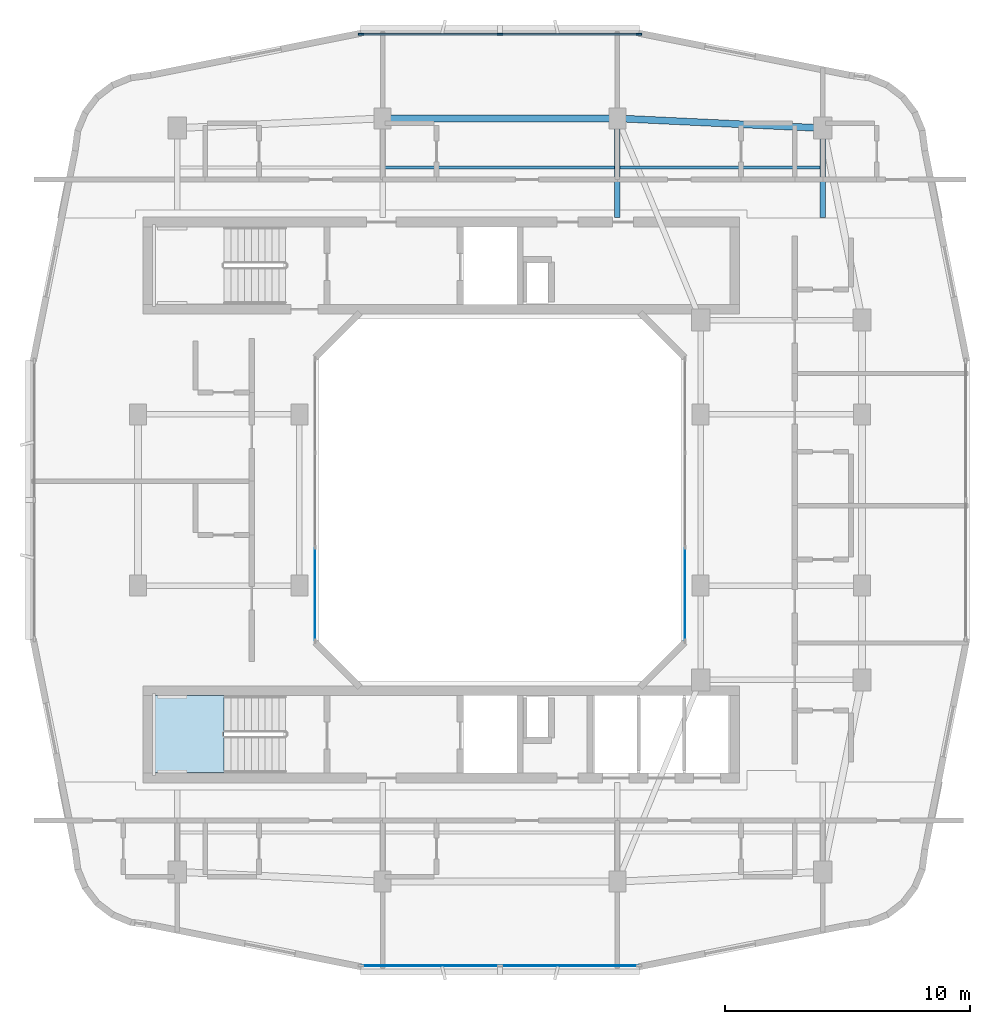
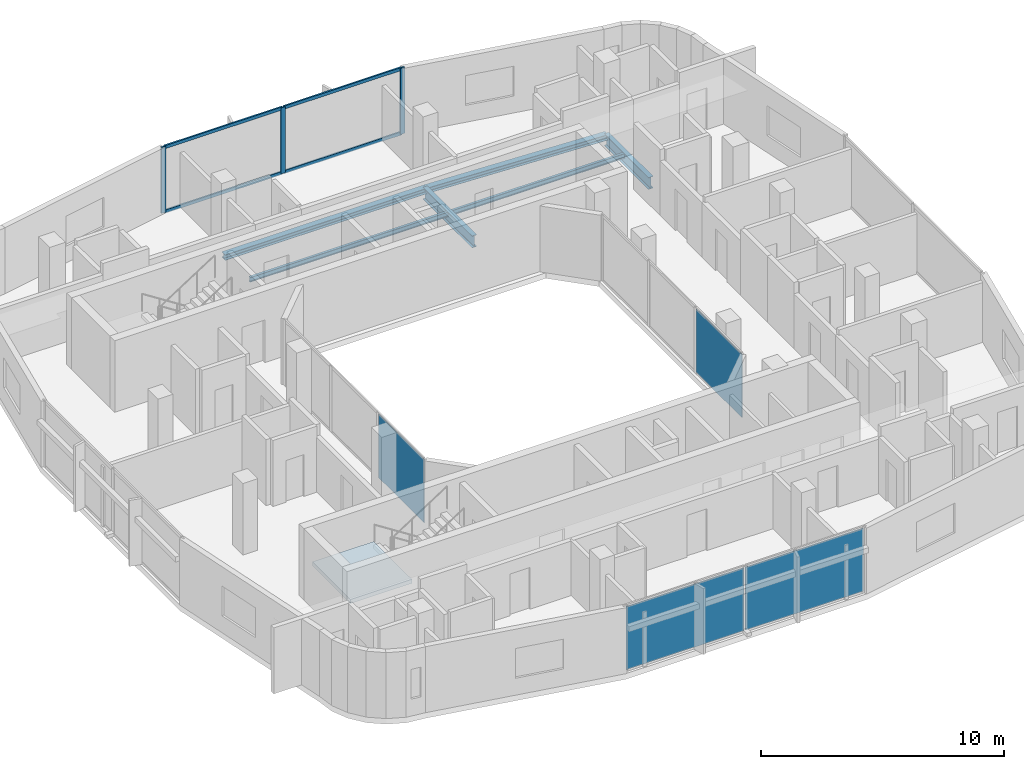
# One storey, part 5 of 14: 7 members, 6 beams, 4 plates, 1 slab, 5 elements without a shape of their own.
"""IFC4 building model written with IfcOpenShell, lengths in metres."""

from ifc_helpers import new_model, si_unit, derived_unit, direction, frame, origin, origin_2d, place, context, subcontext, project, spatial, polyline, rectangle, i_section, outline, extrude, material, layer, layer_set, material_profile, profile_set, type_object, element, aggregate, save


model = new_model("IFC4")

# Units and contexts
model_context = context("Model", 3, precision=1e-05, world=origin(), true_north=direction((0.0, 1.0)))
body_context = subcontext(model_context, "Body", "Model", "MODEL_VIEW")
ifc_project = project(units=[si_unit("LENGTHUNIT", "METRE"), si_unit("AREAUNIT", "SQUARE_METRE"), si_unit("VOLUMEUNIT", "CUBIC_METRE"), si_unit("PLANEANGLEUNIT", "RADIAN"), si_unit("MASSUNIT", "GRAM", prefix="KILO"), derived_unit("THERMALTRANSMITTANCEUNIT", [(si_unit("POWERUNIT", "WATT"), 1), (si_unit("LENGTHUNIT", "METRE"), -2), (si_unit("THERMODYNAMICTEMPERATUREUNIT", "KELVIN"), -1)])], contexts=[model_context])

# Site, building, storey
site_placement = place(None, origin())
site = spatial("IfcSite", under=ifc_project, at=site_placement, CompositionType="ELEMENT")
building_placement = place(site_placement, origin())
building = spatial("IfcBuilding", under=site, at=building_placement, Name="Kivonza Crest Hotel", CompositionType="ELEMENT")
storey_placement = place(building_placement, frame((0.0, 0.0, 227.89990234375)))
storey = spatial("IfcBuildingStorey", under=building, at=storey_placement, Name="L62", CompositionType="ELEMENT", Elevation=227.89990234375)

# Beams
ifc_material_1 = material(Name="Steel S355", Category="steel")
ifc_material_profile_1 = material_profile(ifc_material_1, i_section(OverallWidth=0.280029296875, OverallDepth=0.280029296875, WebThickness=0.010498046875, FlangeThickness=0.01806640625, FilletRadius=0.02392578125, at=origin_2d()), Name="HEB 280")
ifc_profile_set_1 = profile_set([ifc_material_profile_1], Name="Steel S355")
beam_type_1 = type_object("IfcBeamType", Name="BM-HEB280", PredefinedType="SPANDREL", material=ifc_profile_set_1)
beam_1_placement = place(storey_placement, frame((34.199951171875, 40.199951171875, -0.419921875), z_axis=(-0.998867283688, 0.047583080799, 0.0), x_axis=(-0.047583080799, -0.998867283688, 0.0)))
element("IfcBeam", 1, at=beam_1_placement, inside=storey, type_object=beam_type_1, Name="Tower T1 L62 perimeter spandrel NE-N2", PredefinedType="SPANDREL", context=body_context, shape_type="SweptSolid", body=[
    extrude(i_section(OverallWidth=0.280029296875, OverallDepth=0.280029296875, WebThickness=0.010498046875, FlangeThickness=0.01806640625, FilletRadius=0.02392578125, at=origin_2d()), origin(), (0.0, 0.0, 1.0), 8.409423828125),
])
beam_2_placement = place(storey_placement, frame((25.800048828125, 40.60009765625, -0.419921875), z_axis=(-1.0, 0.0, 0.0), x_axis=(0.0, -1.0, 0.0)))
element("IfcBeam", 2, at=beam_2_placement, inside=storey, type_object=beam_type_1, Name="Tower T1 L62 perimeter spandrel N2-N1", PredefinedType="SPANDREL", context=body_context, shape_type="SweptSolid", body=[
    extrude(i_section(OverallWidth=0.280029296875, OverallDepth=0.280029296875, WebThickness=0.010498046875, FlangeThickness=0.01806640625, FilletRadius=0.02392578125, at=origin_2d()), origin(), (0.0, 0.0, 1.0), 9.60009765625),
])
ifc_material_profile_2 = material_profile(ifc_material_1, i_section(OverallWidth=0.1201171875, OverallDepth=0.239990234375, WebThickness=0.006103515625, FlangeThickness=0.009765625, FilletRadius=0.014892578125, at=origin_2d()), Name="IPE 240")
ifc_profile_set_2 = profile_set([ifc_material_profile_2], Name="Steel S355")
beam_type_2 = type_object("IfcBeamType", Name="BM-IPE240", PredefinedType="JOIST", material=ifc_profile_set_2)
beam_3_placement = place(storey_placement, frame((16.280029296875, 38.60009765625, -0.39990234375), z_axis=(1.0, 0.0, 0.0), x_axis=(0.0, 1.0, 0.0)))
element("IfcBeam", 3, at=beam_3_placement, inside=storey, type_object=beam_type_2, Name="Tower T1 L62 North-Mid floor joist", PredefinedType="JOIST", context=body_context, shape_type="SweptSolid", body=[
    extrude(i_section(OverallWidth=0.1201171875, OverallDepth=0.239990234375, WebThickness=0.006103515625, FlangeThickness=0.009765625, FilletRadius=0.014892578125, at=origin_2d()), origin(), (0.0, 0.0, 1.0), 9.43994140625),
])
beam_4_placement = place(storey_placement, frame((25.8798828125, 38.60009765625, -0.39990234375), z_axis=(1.0, 0.0, 0.0), x_axis=(0.0, 1.0, 0.0)))
element("IfcBeam", 4, at=beam_4_placement, inside=storey, type_object=beam_type_2, Name="Tower T1 L62 North-East floor joist", PredefinedType="JOIST", context=body_context, shape_type="SweptSolid", body=[
    extrude(i_section(OverallWidth=0.1201171875, OverallDepth=0.239990234375, WebThickness=0.006103515625, FlangeThickness=0.009765625, FilletRadius=0.014892578125, at=origin_2d()), origin(), (0.0, 0.0, 1.0), 8.240234375),
])
ifc_material_profile_3 = material_profile(ifc_material_1, i_section(OverallWidth=0.219970703125, OverallDepth=0.60009765625, WebThickness=0.011962890625, FlangeThickness=0.01904296875, FilletRadius=0.02392578125, at=origin_2d()), Name="IPE 600")
ifc_profile_set_3 = profile_set([ifc_material_profile_3], Name="Steel S355")
beam_type_3 = type_object("IfcBeamType", Name="BM-IPE600", PredefinedType="BEAM", material=ifc_profile_set_3)
beam_5_placement = place(storey_placement, frame((25.800048828125, 40.60009765625, -0.579833984375), z_axis=(0.0, -1.0, 0.0), x_axis=(1.0, 0.0, 0.0)))
element("IfcBeam", 5, at=beam_5_placement, inside=storey, type_object=beam_type_3, Name="Tower T1 L62 radial core girder RN2", PredefinedType="BEAM", context=body_context, shape_type="SweptSolid", body=[
    extrude(i_section(OverallWidth=0.219970703125, OverallDepth=0.60009765625, WebThickness=0.011962890625, FlangeThickness=0.01904296875, FilletRadius=0.02392578125, at=origin_2d()), origin(), (0.0, 0.0, 1.0), 4.050048828125),
])
beam_6_placement = place(storey_placement, frame((34.199951171875, 40.199951171875, -0.579833984375), z_axis=(0.0, -1.0, 0.0), x_axis=(1.0, 0.0, 0.0)))
element("IfcBeam", 6, at=beam_6_placement, inside=storey, type_object=beam_type_3, Name="Tower T1 L62 radial core girder RNE", PredefinedType="BEAM", context=body_context, shape_type="SweptSolid", body=[
    extrude(i_section(OverallWidth=0.219970703125, OverallDepth=0.60009765625, WebThickness=0.011962890625, FlangeThickness=0.01904296875, FilletRadius=0.02392578125, at=origin_2d()), origin(), (0.0, 0.0, 1.0), 3.64990234375),
])

# Curtain wall, members
ifc_material_2 = material(Name="Anodised bronze aluminium and low-E double glazing", Category="aluminium")
ifc_layer_1 = layer(ifc_material_2, 0.179931640625)
ifc_layer_set_1 = layer_set([ifc_layer_1], Name="Anodised bronze aluminium and low-E double glazing")
curtain_wall_type_1 = type_object("IfcCurtainWallType", Name="CW-SYS-3", PredefinedType="NOTDEFINED", material=ifc_layer_set_1)
curtain_wall_1_placement = place(storey_placement, origin())
curtain_wall_1 = element("IfcCurtainWall", 7, at=curtain_wall_1_placement, inside=storey, type_object=curtain_wall_type_1, Name="L62 unitised curtain wall CW-T1-L62-26", PredefinedType="NOTDEFINED")
ifc_material_3 = material(Name="Anodised bronze aluminium", Category="aluminium")
ifc_material_profile_4 = material_profile(ifc_material_3, rectangle(XDim=0.074951171875, YDim=0.219970703125, at=origin_2d()), Name="CW-M 75x220")
ifc_profile_set_4 = profile_set([ifc_material_profile_4], Name="Anodised bronze aluminium")
member_type_1 = type_object("IfcMemberType", Name="CW-MUL-75x220", PredefinedType="MULLION", material=ifc_profile_set_4)
member_1_placement = place(storey_placement, frame((26.6826171875, 44.0400390625, 0.0), z_axis=(0.0, 0.0, 1.0), x_axis=(0.0, -1.0, 0.0)))
member_1 = element("IfcMember", 8, at=member_1_placement, type_object=member_type_1, Name="CW-3 mullion 1", PredefinedType="MULLION", context=body_context, shape_type="SweptSolid", body=[
    extrude(rectangle(XDim=0.074951171875, YDim=0.219970703125, at=origin_2d()), origin(), (0.0, 0.0, 1.0), 3.320068359375),
])
member_2_placement = place(storey_placement, frame((21.0, 44.0400390625, 0.0), z_axis=(0.0, 0.0, 1.0), x_axis=(0.0, -1.0, 0.0)))
member_2 = element("IfcMember", 9, at=member_2_placement, type_object=member_type_1, Name="CW-3 mullion 2", PredefinedType="MULLION", context=body_context, shape_type="SweptSolid", body=[
    extrude(rectangle(XDim=0.074951171875, YDim=0.219970703125, at=origin_2d()), origin(), (0.0, 0.0, 1.0), 3.320068359375),
])
member_3_placement = place(storey_placement, frame((15.3173828125, 44.0400390625, 0.0), z_axis=(0.0, 0.0, 1.0), x_axis=(0.0, -1.0, 0.0)))
member_3 = element("IfcMember", 10, at=member_3_placement, type_object=member_type_1, Name="CW-3 mullion 3", PredefinedType="MULLION", context=body_context, shape_type="SweptSolid", body=[
    extrude(rectangle(XDim=0.074951171875, YDim=0.219970703125, at=origin_2d()), origin(), (0.0, 0.0, 1.0), 3.320068359375),
])
ifc_material_profile_5 = material_profile(ifc_material_3, rectangle(XDim=0.074951171875, YDim=0.159912109375, at=origin_2d()), Name="CW-T 75x160")
ifc_profile_set_5 = profile_set([ifc_material_profile_5], Name="Anodised bronze aluminium")
member_type_2 = type_object("IfcMemberType", Name="CW-TRN-75x160", PredefinedType="USERDEFINED", material=ifc_profile_set_5)
member_4_placement = place(storey_placement, frame((26.64501953125, 44.0400390625, 0.03759765625), z_axis=(-1.0, 0.0, 0.0), x_axis=(0.0, -1.0, 0.0)))
member_4 = element("IfcMember", 11, at=member_4_placement, type_object=member_type_2, Name="CW-3 transom 1.1", ObjectType="TRANSOM", PredefinedType="USERDEFINED", context=body_context, shape_type="SweptSolid", body=[
    extrude(rectangle(XDim=0.074951171875, YDim=0.159912109375, at=origin_2d()), origin(), (0.0, 0.0, 1.0), 5.607421875),
])
member_5_placement = place(storey_placement, frame((26.64501953125, 44.0400390625, 3.28271484375), z_axis=(-1.0, 0.0, 0.0), x_axis=(0.0, -1.0, 0.0)))
member_5 = element("IfcMember", 12, at=member_5_placement, type_object=member_type_2, Name="CW-3 transom 1.2", ObjectType="TRANSOM", PredefinedType="USERDEFINED", context=body_context, shape_type="SweptSolid", body=[
    extrude(rectangle(XDim=0.074951171875, YDim=0.159912109375, at=origin_2d()), origin(), (0.0, 0.0, 1.0), 5.607421875),
])
member_6_placement = place(storey_placement, frame((20.96240234375, 44.0400390625, 0.03759765625), z_axis=(-1.0, 0.0, 0.0), x_axis=(0.0, -1.0, 0.0)))
member_6 = element("IfcMember", 13, at=member_6_placement, type_object=member_type_2, Name="CW-3 transom 2.1", ObjectType="TRANSOM", PredefinedType="USERDEFINED", context=body_context, shape_type="SweptSolid", body=[
    extrude(rectangle(XDim=0.074951171875, YDim=0.159912109375, at=origin_2d()), origin(), (0.0, 0.0, 1.0), 5.607421875),
])
member_7_placement = place(storey_placement, frame((20.96240234375, 44.0400390625, 3.28271484375), z_axis=(-1.0, 0.0, 0.0), x_axis=(0.0, -1.0, 0.0)))
member_7 = element("IfcMember", 14, at=member_7_placement, type_object=member_type_2, Name="CW-3 transom 2.2", ObjectType="TRANSOM", PredefinedType="USERDEFINED", context=body_context, shape_type="SweptSolid", body=[
    extrude(rectangle(XDim=0.074951171875, YDim=0.159912109375, at=origin_2d()), origin(), (0.0, 0.0, 1.0), 5.607421875),
])
aggregate(curtain_wall_1, [member_1, member_2, member_3, member_4, member_5, member_6, member_7])

# Curtain wall, plate
ifc_layer_2 = layer(ifc_material_2, 0.159912109375)
ifc_layer_set_2 = layer_set([ifc_layer_2], Name="Anodised bronze aluminium and low-E double glazing")
curtain_wall_type_2 = type_object("IfcCurtainWallType", Name="CW-SYS-5", PredefinedType="NOTDEFINED", material=ifc_layer_set_2)
curtain_wall_2_placement = place(storey_placement, origin())
curtain_wall_2 = element("IfcCurtainWall", 15, at=curtain_wall_2_placement, inside=storey, type_object=curtain_wall_type_2, Name="L62 unitised curtain wall CW-WELL-T1-L62-3", PredefinedType="NOTDEFINED")
ifc_material_4 = material(Name="Solar-control low-E double glazing", Category="glass")
ifc_layer_3 = layer(ifc_material_4, 0.028076171875)
ifc_layer_set_3 = layer_set([ifc_layer_3], Name="Solar-control low-E double glazing")
plate_type_1 = type_object("IfcPlateType", Name="CW-PNL-28", PredefinedType="CURTAIN_PANEL", material=ifc_layer_set_3)
plate_1_placement = place(storey_placement, frame((28.56005859375, 21.149658203125, 0.065185546875), z_axis=(0.0, 0.0, 1.0), x_axis=(0.0, 1.0, 0.0)))
plate_1 = element("IfcPlate", 16, at=plate_1_placement, type_object=plate_type_1, Name="CW-5 panel 1.1", PredefinedType="CURTAIN_PANEL", context=body_context, shape_type="SweptSolid", body=[
    extrude(rectangle(XDim=3.769287109375, YDim=0.028076171875, at=origin_2d()), origin(), (0.0, 0.0, 1.0), 3.18994140625),
])
aggregate(curtain_wall_2, [plate_1])

curtain_wall_3_placement = place(storey_placement, origin())
curtain_wall_3 = element("IfcCurtainWall", 17, at=curtain_wall_3_placement, inside=storey, type_object=curtain_wall_type_2, Name="L62 unitised curtain wall CW-WELL-T1-L62-7", PredefinedType="NOTDEFINED")
plate_2_placement = place(storey_placement, frame((13.43994140625, 21.149658203125, 0.065185546875), z_axis=(0.0, 0.0, 1.0), x_axis=(0.0, -1.0, 0.0)))
plate_2 = element("IfcPlate", 18, at=plate_2_placement, type_object=plate_type_1, Name="CW-5 panel 3.1", PredefinedType="CURTAIN_PANEL", context=body_context, shape_type="SweptSolid", body=[
    extrude(rectangle(XDim=3.769287109375, YDim=0.028076171875, at=origin_2d()), origin(), (0.0, 0.0, 1.0), 3.18994140625),
])
aggregate(curtain_wall_3, [plate_2])

# Curtain wall, plates
curtain_wall_4_placement = place(storey_placement, origin())
curtain_wall_4 = element("IfcCurtainWall", 19, at=curtain_wall_4_placement, inside=storey, type_object=curtain_wall_type_1, Name="L62 unitised curtain wall CW-T1-L62-08", PredefinedType="NOTDEFINED")
ifc_material_5 = material(Name="Acoustic triple-laminated low-E glazing", Category="glass")
ifc_layer_4 = layer(ifc_material_5, 0.035888671875)
ifc_layer_set_4 = layer_set([ifc_layer_4], Name="Acoustic triple-laminated low-E glazing")
plate_type_2 = type_object("IfcPlateType", Name="CW-PNL-36", PredefinedType="CURTAIN_PANEL", material=ifc_layer_set_4)
plate_3_placement = place(storey_placement, frame((18.15869140625, 5.9599609375, 0.0751953125), z_axis=(0.0, 0.0, 1.0), x_axis=(1.0, 0.0, 0.0)))
plate_3 = element("IfcPlate", 20, at=plate_3_placement, type_object=plate_type_2, Name="CW-3 panel 1.1", PredefinedType="CURTAIN_PANEL", context=body_context, shape_type="SweptSolid", body=[
    extrude(rectangle(XDim=5.607421875, YDim=0.035888671875, at=origin_2d()), origin(), (0.0, 0.0, 1.0), 3.169921875),
])
plate_4_placement = place(storey_placement, frame((23.84130859375, 5.9599609375, 0.0751953125), z_axis=(0.0, 0.0, 1.0), x_axis=(1.0, 0.0, 0.0)))
plate_4 = element("IfcPlate", 21, at=plate_4_placement, type_object=plate_type_2, Name="CW-3 panel 2.1", PredefinedType="CURTAIN_PANEL", context=body_context, shape_type="SweptSolid", body=[
    extrude(rectangle(XDim=5.607421875, YDim=0.035888671875, at=origin_2d()), origin(), (0.0, 0.0, 1.0), 3.169921875),
])
aggregate(curtain_wall_4, [plate_3, plate_4])

# Stair, slab
ifc_material_6 = material(Name="Concrete C40/50", Category="concrete")
stair_type = type_object("IfcStairType", Name="ST-DL-20R", PredefinedType="HALF_TURN_STAIR", material=ifc_material_6)
stair_placement = place(storey_placement, origin())
stair = element("IfcStair", 22, at=stair_placement, inside=storey, type_object=stair_type, Name="L62 Protected Exit Stair ST-T1-S", PredefinedType="HALF_TURN_STAIR")
ifc_layer_5 = layer(ifc_material_6, 0.199951171875)
ifc_layer_set_5 = layer_set([ifc_layer_5], Name="Concrete C40/50")
slab_type = type_object("IfcSlabType", Name="SL-LAND-200", PredefinedType="LANDING", material=ifc_layer_set_5)
slab_placement = place(storey_placement, frame((0.0, 0.0, 1.60009765625)))
slab = element("IfcSlab", 23, at=slab_placement, type_object=slab_type, Name="ST-T1-S landing 1", PredefinedType="LANDING", context=body_context, shape_type="SweptSolid", body=[
    extrude(outline(polyline([(9.719970703125, 17.0), (6.800048828125, 17.0), (6.800048828125, 13.860107421875), (9.719970703125, 13.860107421875), (9.719970703125, 17.0)])), origin(), (0.0, 0.0, 1.0), 0.199951171875),
])
aggregate(stair, [slab])

save(model, "model.ifc")
